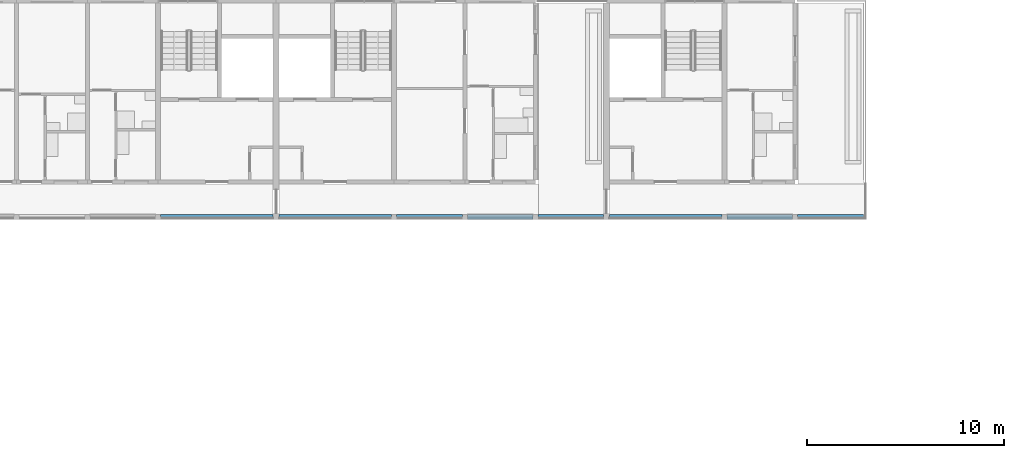
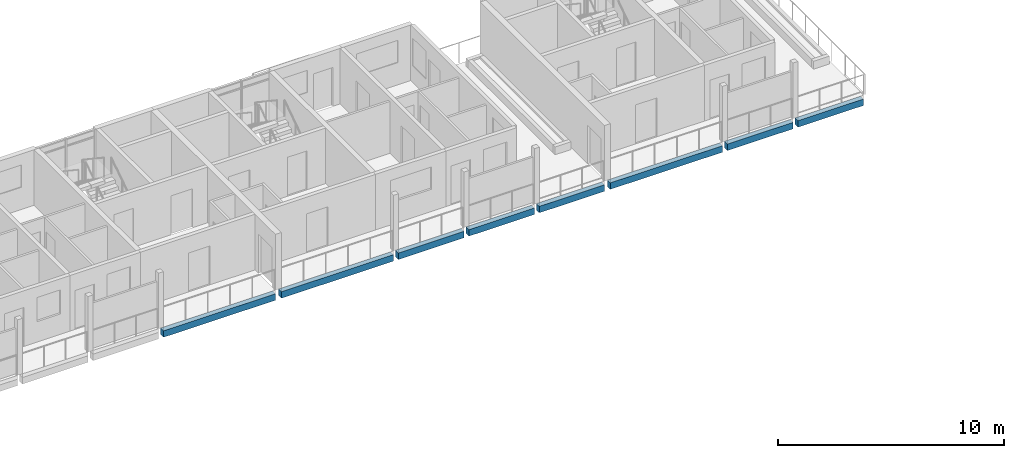
# One storey, part 11 of 94: 8 beams.
"""IFC4 building model written with IfcOpenShell, lengths in metres."""

from ifc_helpers import new_model, si_unit, direction, frame, origin, origin_2d, place, context, subcontext, project, spatial, rectangle, extrude, material, material_profile, profile_set, type_object, element, save


model = new_model("IFC4")

# Units and contexts
model_context = context("Model", 3, precision=1e-05, world=origin(), true_north=direction((0.0, 1.0)))
body_context = subcontext(model_context, "Body", "Model", "MODEL_VIEW")
ifc_project = project(units=[si_unit("LENGTHUNIT", "METRE"), si_unit("AREAUNIT", "SQUARE_METRE"), si_unit("VOLUMEUNIT", "CUBIC_METRE"), si_unit("PLANEANGLEUNIT", "RADIAN"), si_unit("MASSUNIT", "GRAM", prefix="KILO")], contexts=[model_context])

# Site, building, storey
site_placement = place(None, origin())
site = spatial("IfcSite", under=ifc_project, at=site_placement, CompositionType="ELEMENT")
building_placement = place(site_placement, origin())
building = spatial("IfcBuilding", under=site, at=building_placement, Name="Ridgestep Commons", CompositionType="ELEMENT")
storey_placement = place(building_placement, frame((0.0, 0.0, 21.0)))
storey = spatial("IfcBuildingStorey", under=building, at=storey_placement, Name="L07", CompositionType="ELEMENT", Elevation=21.0)

# Beams
ifc_material = material(Name="Precast concrete C40/50", Category="concrete")
ifc_material_profile = material_profile(ifc_material, rectangle(XDim=0.25, YDim=0.35009765625, at=origin_2d()), Name="PC 250x350")
ifc_profile_set = profile_set([ifc_material_profile], Name="Precast concrete C40/50")
beam_type = type_object("IfcBeamType", Name="Loggia edge beam 250 x 350", PredefinedType="SPANDREL", material=ifc_profile_set)
beam_1_placement = place(storey_placement, frame((73.324951171875, 66.125, -0.375), z_axis=(1.0, 0.0, 0.0), x_axis=(0.0, 1.0, 0.0)))
element("IfcBeam", 1, at=beam_1_placement, inside=storey, type_object=beam_type, Name="Loggia edge beam B4C L07", PredefinedType="SPANDREL", context=body_context, shape_type="SweptSolid", body=[
    extrude(rectangle(XDim=0.25, YDim=0.35009765625, at=origin_2d()), origin(), (0.0, 0.0, 1.0), 5.72509765625),
])
beam_2_placement = place(storey_placement, frame((79.35009765625, 66.125, -0.375), z_axis=(1.0, 0.0, 0.0), x_axis=(0.0, 1.0, 0.0)))
element("IfcBeam", 2, at=beam_2_placement, inside=storey, type_object=beam_type, Name="Loggia edge beam B5C L07", PredefinedType="SPANDREL", context=body_context, shape_type="SweptSolid", body=[
    extrude(rectangle(XDim=0.25, YDim=0.35009765625, at=origin_2d()), origin(), (0.0, 0.0, 1.0), 5.724853515625),
])
beam_3_placement = place(storey_placement, frame((85.324951171875, 66.125, -0.375), z_axis=(1.0, 0.0, 0.0), x_axis=(0.0, 1.0, 0.0)))
element("IfcBeam", 3, at=beam_3_placement, inside=storey, type_object=beam_type, Name="Loggia edge beam B5T3 L07", PredefinedType="SPANDREL", context=body_context, shape_type="SweptSolid", body=[
    extrude(rectangle(XDim=0.25, YDim=0.35009765625, at=origin_2d()), origin(), (0.0, 0.0, 1.0), 3.35009765625),
])
beam_4_placement = place(storey_placement, frame((88.925048828125, 66.125, -0.375), z_axis=(1.0, 0.0, 0.0), x_axis=(0.0, 1.0, 0.0)))
element("IfcBeam", 4, at=beam_4_placement, inside=storey, type_object=beam_type, Name="Loggia edge beam B5T2 L07", PredefinedType="SPANDREL", context=body_context, shape_type="SweptSolid", body=[
    extrude(rectangle(XDim=0.25, YDim=0.35009765625, at=origin_2d()), origin(), (0.0, 0.0, 1.0), 3.349853515625),
])
beam_5_placement = place(storey_placement, frame((92.52490234375, 66.125, -0.375), z_axis=(1.0, 0.0, 0.0), x_axis=(0.0, 1.0, 0.0)))
element("IfcBeam", 5, at=beam_5_placement, inside=storey, type_object=beam_type, Name="Loggia edge beam B5T1 L07", PredefinedType="SPANDREL", context=body_context, shape_type="SweptSolid", body=[
    extrude(rectangle(XDim=0.25, YDim=0.35009765625, at=origin_2d()), origin(), (0.0, 0.0, 1.0), 3.3251953125),
])
beam_6_placement = place(storey_placement, frame((96.14990234375, 66.125, -0.375), z_axis=(1.0, 0.0, 0.0), x_axis=(0.0, 1.0, 0.0)))
element("IfcBeam", 6, at=beam_6_placement, inside=storey, type_object=beam_type, Name="Loggia edge beam B6C L07", PredefinedType="SPANDREL", context=body_context, shape_type="SweptSolid", body=[
    extrude(rectangle(XDim=0.25, YDim=0.35009765625, at=origin_2d()), origin(), (0.0, 0.0, 1.0), 5.72509765625),
])
beam_7_placement = place(storey_placement, frame((102.125, 66.125, -0.375), z_axis=(1.0, 0.0, 0.0), x_axis=(0.0, 1.0, 0.0)))
element("IfcBeam", 7, at=beam_7_placement, inside=storey, type_object=beam_type, Name="Loggia edge beam B6T3 L07", PredefinedType="SPANDREL", context=body_context, shape_type="SweptSolid", body=[
    extrude(rectangle(XDim=0.25, YDim=0.35009765625, at=origin_2d()), origin(), (0.0, 0.0, 1.0), 3.35009765625),
])
beam_8_placement = place(storey_placement, frame((105.72509765625, 66.125, -0.375), z_axis=(1.0, 0.0, 0.0), x_axis=(0.0, 1.0, 0.0)))
element("IfcBeam", 8, at=beam_8_placement, inside=storey, type_object=beam_type, Name="Loggia edge beam B6T2 L07", PredefinedType="SPANDREL", context=body_context, shape_type="SweptSolid", body=[
    extrude(rectangle(XDim=0.25, YDim=0.35009765625, at=origin_2d()), origin(), (0.0, 0.0, 1.0), 3.349853515625),
])

save(model, "model.ifc")
